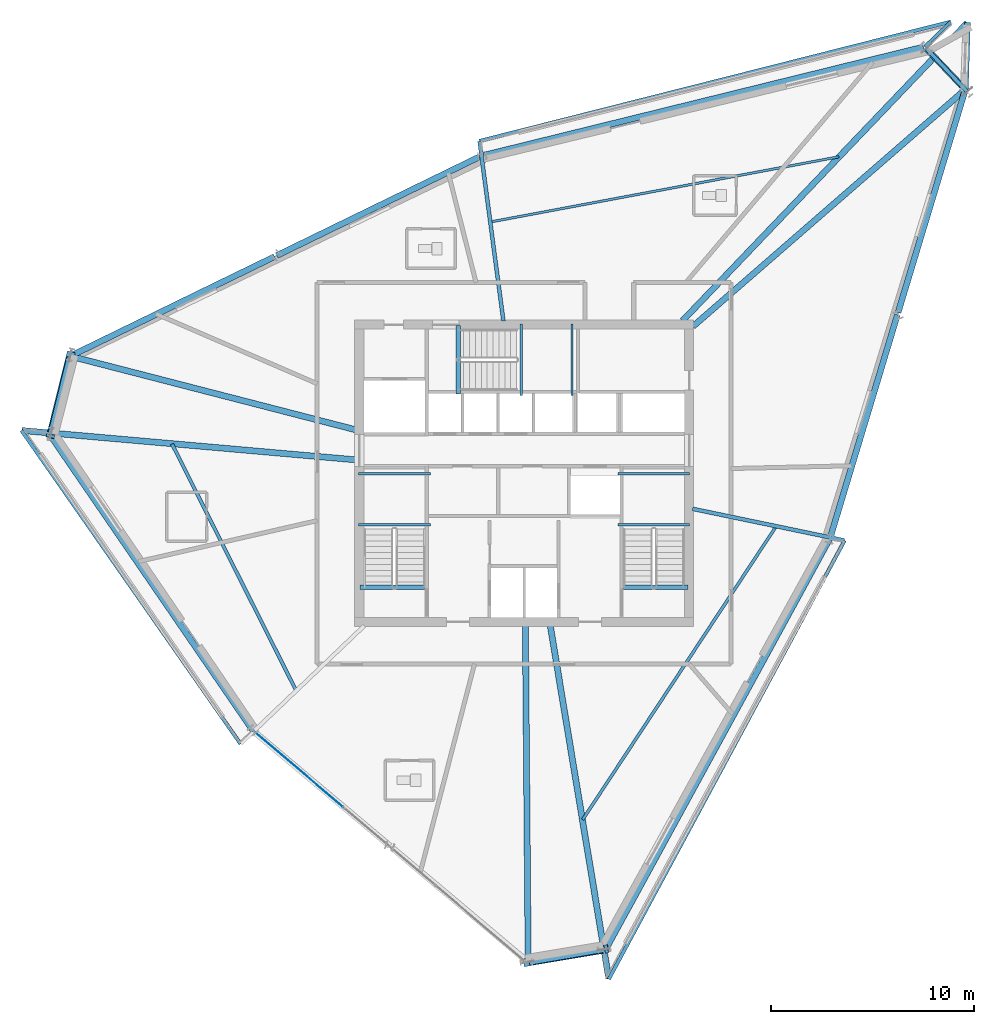
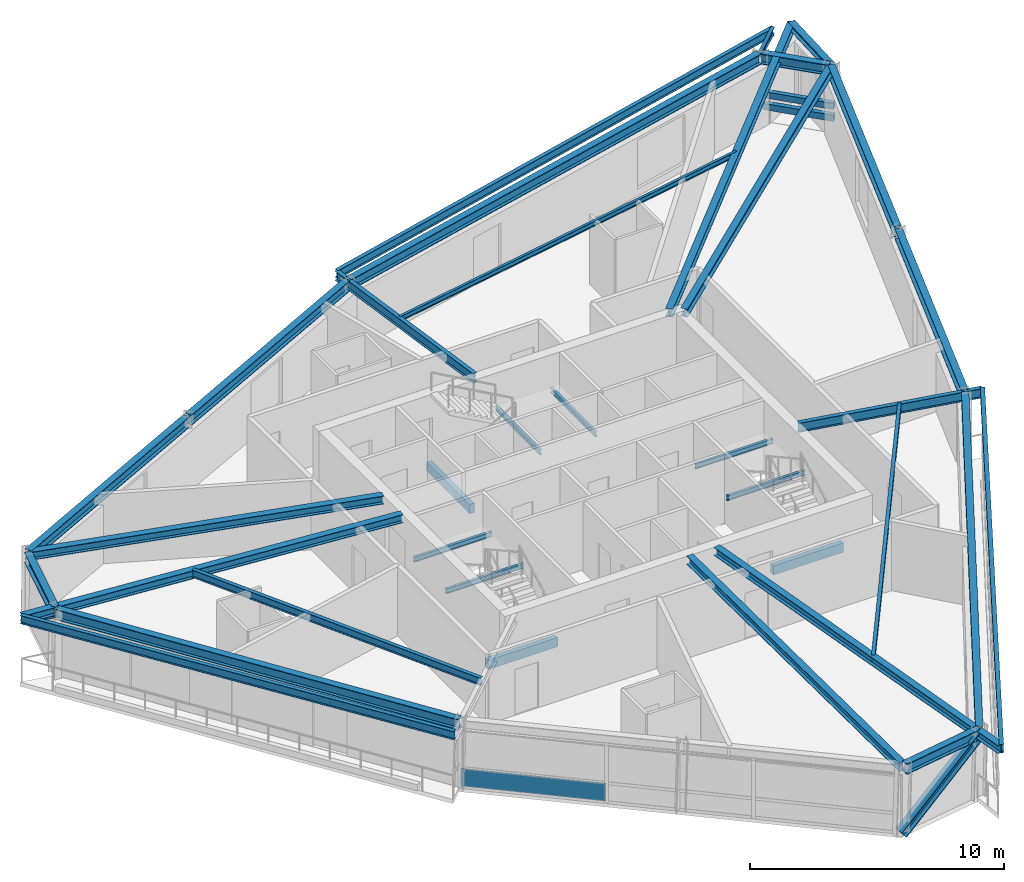
# One storey, part 4 of 15: 35 beams, 4 members, 1 plate, 1 element without a shape of its own.
"""IFC4 building model written with IfcOpenShell, lengths in metres."""

from ifc_helpers import new_model, si_unit, direction, frame, origin, origin_2d, place, context, subcontext, project, spatial, rectangle, hollow_rectangle, i_section, extrude, source, transform, mapped, material, material_profile, profile_set, type_object, element, aggregate, save


model = new_model("IFC4")

# Units and contexts
model_context = context("Model", 3, precision=1e-05, world=origin(), true_north=direction((0.0, 1.0)))
body_context = subcontext(model_context, "Body", "Model", "MODEL_VIEW")
ifc_project = project(units=[si_unit("LENGTHUNIT", "METRE"), si_unit("AREAUNIT", "SQUARE_METRE"), si_unit("VOLUMEUNIT", "CUBIC_METRE"), si_unit("PLANEANGLEUNIT", "RADIAN"), si_unit("MASSUNIT", "GRAM", prefix="KILO")], contexts=[model_context])

# Site, building, storey
site_placement = place(None, origin())
site = spatial("IfcSite", under=ifc_project, at=site_placement, CompositionType="ELEMENT")
building_placement = place(site_placement, origin())
building = spatial("IfcBuilding", under=site, at=building_placement, Name="Olszyna Solenne Hotel", CompositionType="ELEMENT")
storey_placement = place(building_placement, frame((0.0, 0.0, 213.14990234375)))
storey = spatial("IfcBuildingStorey", under=building, at=storey_placement, Name="L56", CompositionType="ELEMENT", Elevation=213.14990234375)

# Beams
ifc_material_1 = material(Name="Steel S355J2", Category="steel")
ifc_material_profile_1 = material_profile(ifc_material_1, i_section(OverallWidth=0.300048828125, OverallDepth=0.5, WebThickness=0.014404296875, FlangeThickness=0.028076171875, at=origin_2d()), Name="HEB 500", Category="load-bearing")
ifc_profile_set_1 = profile_set([ifc_material_profile_1], Name="Steel S355J2")
beam_type_1 = type_object("IfcBeamType", Name="BM-S3", PredefinedType="BEAM", material=ifc_profile_set_1)
shared_shape_1 = source(origin(), body_context, "Body", "SweptSolid", [
    extrude(i_section(OverallWidth=0.300048828125, OverallDepth=0.5, WebThickness=0.014404296875, FlangeThickness=0.028076171875, at=origin_2d()), origin(), (0.0, 0.0, 1.0), 2.787841796875),
])
beam_1_placement = place(storey_placement, frame((59.697021484375, 45.546630859375, 3.080078125), z_axis=(-0.689644238618, 0.724148344016, 0.0), x_axis=(-0.724148344016, -0.689644238618, 0.0)))
element("IfcBeam", 1, at=beam_1_placement, inside=storey, type_object=beam_type_1, Name="Perimeter spandrel beam BM-S3 B-L56-1650", PredefinedType="BEAM", context=body_context, shape_type="MappedRepresentation", body=[
    mapped(shared_shape_1, transform((0.0, 0.0, 0.0), x_axis=(1.0, 0.0, 0.0), y_axis=(0.0, 1.0, 0.0), z_axis=(0.0, 0.0, 1.0), scale=1.0)),
])
shared_shape_2 = source(origin(), body_context, "Body", "SweptSolid", [
    extrude(i_section(OverallWidth=0.300048828125, OverallDepth=0.5, WebThickness=0.014404296875, FlangeThickness=0.028076171875, at=origin_2d()), origin(), (0.0, 0.0, 1.0), 22.39111328125),
])
beam_2_placement = place(storey_placement, frame((57.6748046875, 47.594482421875, 3.080078125), z_axis=(-0.970986373618, -0.239134820233, 0.0), x_axis=(0.239134820233, -0.970986373618, 0.0)))
element("IfcBeam", 2, at=beam_2_placement, inside=storey, type_object=beam_type_1, Name="Perimeter spandrel beam BM-S3 B-L56-1651", PredefinedType="BEAM", context=body_context, shape_type="MappedRepresentation", body=[
    mapped(shared_shape_2, transform((0.0, 0.0, 0.0), x_axis=(1.0, 0.0, 0.0), y_axis=(0.0, 1.0, 0.0), z_axis=(0.0, 0.0, 1.0), scale=1.0)),
])
shared_shape_3 = source(origin(), body_context, "Body", "SweptSolid", [
    extrude(i_section(OverallWidth=0.300048828125, OverallDepth=0.5, WebThickness=0.014404296875, FlangeThickness=0.028076171875, at=origin_2d()), origin(), (0.0, 0.0, 1.0), 11.135498046875),
])
for number, where, z_axis, x_axis, name in (
    (3, (35.821044921875, 42.199462890625, 3.080078125), (-0.899013993739, -0.437919900279, 0.0), (0.437919900279, -0.899013993739, 0.0), "Perimeter spandrel beam BM-S3 B-L56-1652"),
    (4, (25.7021484375, 37.270263671875, 3.080078125), (-0.899013993739, -0.437919900279, 0.0), (0.437919900279, -0.899013993739, 0.0), "Perimeter spandrel beam BM-S3 B-L56-1653"),
):
    element("IfcBeam", number, at=place(storey_placement, frame(where, z_axis=z_axis, x_axis=x_axis)), inside=storey, type_object=beam_type_1, Name=name, PredefinedType="BEAM", context=body_context, shape_type="MappedRepresentation", body=[
        mapped(shared_shape_3, transform((0.0, 0.0, 0.0), x_axis=(1.0, 0.0, 0.0), y_axis=(0.0, 1.0, 0.0), z_axis=(0.0, 0.0, 1.0), scale=1.0)),
    ])
shared_shape_4 = source(origin(), body_context, "Body", "SweptSolid", [
    extrude(i_section(OverallWidth=0.300048828125, OverallDepth=0.5, WebThickness=0.014404296875, FlangeThickness=0.028076171875, at=origin_2d()), origin(), (0.0, 0.0, 1.0), 3.761962890625),
])
beam_3_placement = place(storey_placement, frame((38.2587890625, 2.513427734375, 3.080078125), z_axis=(0.985562599074, 0.169311438795, 0.0), x_axis=(-0.169311438795, 0.985562599074, 0.0)))
element("IfcBeam", 5, at=beam_3_placement, inside=storey, type_object=beam_type_1, Name="Perimeter spandrel beam BM-S3 B-L56-1658", PredefinedType="BEAM", context=body_context, shape_type="MappedRepresentation", body=[
    mapped(shared_shape_4, transform((0.0, 0.0, 0.0), x_axis=(1.0, 0.0, 0.0), y_axis=(0.0, 1.0, 0.0), z_axis=(0.0, 0.0, 1.0), scale=1.0)),
])
shared_shape_5 = source(origin(), body_context, "Body", "SweptSolid", [
    extrude(i_section(OverallWidth=0.300048828125, OverallDepth=0.5, WebThickness=0.014404296875, FlangeThickness=0.028076171875, at=origin_2d()), origin(), (0.0, 0.0, 1.0), 22.9521484375),
])
beam_4_placement = place(storey_placement, frame((42.054443359375, 3.21337890625, 3.080078125), z_axis=(0.479002666824, 0.877813445543, 0.0), x_axis=(-0.877813445543, 0.479002666824, 0.0)))
element("IfcBeam", 6, at=beam_4_placement, inside=storey, type_object=beam_type_1, Name="Perimeter spandrel beam BM-S3 B-L56-1659", PredefinedType="BEAM", context=body_context, shape_type="MappedRepresentation", body=[
    mapped(shared_shape_5, transform((0.0, 0.0, 0.0), x_axis=(1.0, 0.0, 0.0), y_axis=(0.0, 1.0, 0.0), z_axis=(0.0, 0.0, 1.0), scale=1.0)),
])
shared_shape_6 = source(origin(), body_context, "Body", "SweptSolid", [
    extrude(i_section(OverallWidth=0.300048828125, OverallDepth=0.5, WebThickness=0.014404296875, FlangeThickness=0.028076171875, at=origin_2d()), origin(), (0.0, 0.0, 1.0), 11.416015625),
])
for number, where, z_axis, x_axis, name in (
    (7, (53.094482421875, 23.47119140625, 3.080078125), (0.288707257143, 0.957417421856, 0.0), (-0.957417421856, 0.288707257143, 0.0), "Perimeter spandrel beam BM-S3 B-L56-1660"),
    (8, (56.425048828125, 34.515869140625, 3.080078125), (0.288726860144, 0.957411510392, 0.0), (-0.957411510392, 0.288726860144, 0.0), "Perimeter spandrel beam BM-S3 B-L56-1661"),
):
    element("IfcBeam", number, at=place(storey_placement, frame(where, z_axis=z_axis, x_axis=x_axis)), inside=storey, type_object=beam_type_1, Name=name, PredefinedType="BEAM", context=body_context, shape_type="MappedRepresentation", body=[
        mapped(shared_shape_6, transform((0.0, 0.0, 0.0), x_axis=(1.0, 0.0, 0.0), y_axis=(0.0, 1.0, 0.0), z_axis=(0.0, 0.0, 1.0), scale=1.0)),
    ])
ifc_material_profile_2 = material_profile(ifc_material_1, i_section(OverallWidth=0.179931640625, OverallDepth=0.39990234375, WebThickness=0.008544921875, FlangeThickness=0.013427734375, at=origin_2d()), Name="IPE 400", Category="load-bearing")
ifc_profile_set_2 = profile_set([ifc_material_profile_2], Name="Steel S355J2")
beam_type_2 = type_object("IfcBeamType", Name="BM-F5", PredefinedType="BEAM", material=ifc_profile_set_2)
shared_shape_7 = source(origin(), body_context, "Body", "SweptSolid", [
    extrude(i_section(OverallWidth=0.179931640625, OverallDepth=0.39990234375, WebThickness=0.008544921875, FlangeThickness=0.013427734375, at=origin_2d()), origin(), (0.0, 0.0, 1.0), 24.5390625),
])
beam_5_placement = place(storey_placement, frame((42.171630859375, 1.6748046875, 3.130126953125), z_axis=(0.473556868489, 0.880763244185, 0.0), x_axis=(-0.880763244185, 0.473556868489, 0.0)))
element("IfcBeam", 9, at=beam_5_placement, inside=storey, type_object=beam_type_2, Name="Loggia outer edge beam BM-F5 B-L56-1678", PredefinedType="BEAM", context=body_context, shape_type="MappedRepresentation", body=[
    mapped(shared_shape_7, transform((0.0, 0.0, 0.0), x_axis=(1.0, 0.0, 0.0), y_axis=(0.0, 1.0, 0.0), z_axis=(0.0, 0.0, 1.0), scale=1.0)),
])
shared_shape_8 = source(origin(), body_context, "Body", "SweptSolid", [
    extrude(i_section(OverallWidth=0.300048828125, OverallDepth=0.5, WebThickness=0.014404296875, FlangeThickness=0.028076171875, at=origin_2d()), origin(), (0.0, 0.0, 1.0), 3.91015625),
])
beam_6_placement = place(storey_placement, frame((15.622802734375, 32.309326171875, 3.080078125), z_axis=(-0.241007450143, -0.970523265551, 0.0), x_axis=(0.970523265551, -0.241007450143, 0.0)))
element("IfcBeam", 10, at=beam_6_placement, inside=storey, type_object=beam_type_1, Name="Perimeter spandrel beam BM-S3 B-L56-1654", PredefinedType="BEAM", context=body_context, shape_type="MappedRepresentation", body=[
    mapped(shared_shape_8, transform((0.0, 0.0, 0.0), x_axis=(1.0, 0.0, 0.0), y_axis=(0.0, 1.0, 0.0), z_axis=(0.0, 0.0, 1.0), scale=1.0)),
])
shared_shape_9 = source(origin(), body_context, "Body", "SweptSolid", [
    extrude(i_section(OverallWidth=0.300048828125, OverallDepth=0.5, WebThickness=0.014404296875, FlangeThickness=0.028076171875, at=origin_2d()), origin(), (0.0, 0.0, 1.0), 17.557861328125),
])
beam_7_placement = place(storey_placement, frame((14.69970703125, 28.40673828125, 3.080078125), z_axis=(0.565915522675, -0.824463232167, 0.0), x_axis=(0.824463232167, 0.565915522675, 0.0)))
element("IfcBeam", 11, at=beam_7_placement, inside=storey, type_object=beam_type_1, Name="Perimeter spandrel beam BM-S3 B-L56-1655", PredefinedType="BEAM", context=body_context, shape_type="MappedRepresentation", body=[
    mapped(shared_shape_9, transform((0.0, 0.0, 0.0), x_axis=(1.0, 0.0, 0.0), y_axis=(0.0, 1.0, 0.0), z_axis=(0.0, 0.0, 1.0), scale=1.0)),
])
ifc_material_profile_3 = material_profile(ifc_material_1, i_section(OverallWidth=0.300048828125, OverallDepth=0.389892578125, WebThickness=0.010986328125, FlangeThickness=0.01904296875, at=origin_2d()), Name="HEA 400", Category="load-bearing")
ifc_profile_set_3 = profile_set([ifc_material_profile_3], Name="Steel S355J2")
beam_type_3 = type_object("IfcBeamType", Name="BM-G2", PredefinedType="BEAM", material=ifc_profile_set_3)
shared_shape_10 = source(origin(), body_context, "Body", "SweptSolid", [
    extrude(i_section(OverallWidth=0.300048828125, OverallDepth=0.389892578125, WebThickness=0.010986328125, FlangeThickness=0.01904296875, at=origin_2d()), origin(), (0.0, 0.0, 1.0), 17.732421875),
])
beam_8_placement = place(storey_placement, frame((59.693115234375, 45.4638671875, 3.135009765625), z_axis=(-0.754599594014, -0.656185532234, 0.0), x_axis=(0.656185532234, -0.754599594014, 0.0)))
element("IfcBeam", 12, at=beam_8_placement, inside=storey, type_object=beam_type_3, Name="Radial floor girder BM-G2 B-L56-1662", PredefinedType="BEAM", context=body_context, shape_type="MappedRepresentation", body=[
    mapped(shared_shape_10, transform((0.0, 0.0, 0.0), x_axis=(1.0, 0.0, 0.0), y_axis=(0.0, 1.0, 0.0), z_axis=(0.0, 0.0, 1.0), scale=1.0)),
])
shared_shape_11 = source(origin(), body_context, "Body", "SweptSolid", [
    extrude(i_section(OverallWidth=0.300048828125, OverallDepth=0.389892578125, WebThickness=0.010986328125, FlangeThickness=0.01904296875, at=origin_2d()), origin(), (0.0, 0.0, 1.0), 20.29345703125),
])
beam_9_placement = place(storey_placement, frame((59.826416015625, 48.789306640625, 3.135009765625), z_axis=(-0.69074666548, -0.723096842843, 0.0), x_axis=(0.723096842843, -0.69074666548, 0.0)))
element("IfcBeam", 13, at=beam_9_placement, inside=storey, type_object=beam_type_3, Name="Radial floor girder BM-G2 B-L56-1663", PredefinedType="BEAM", context=body_context, shape_type="MappedRepresentation", body=[
    mapped(shared_shape_11, transform((0.0, 0.0, 0.0), x_axis=(1.0, 0.0, 0.0), y_axis=(0.0, 1.0, 0.0), z_axis=(0.0, 0.0, 1.0), scale=1.0)),
])
ifc_material_profile_4 = material_profile(ifc_material_1, i_section(OverallWidth=0.18994140625, OverallDepth=0.449951171875, WebThickness=0.009521484375, FlangeThickness=0.0146484375, at=origin_2d()), Name="IPE 450", Category="load-bearing")
ifc_profile_set_4 = profile_set([ifc_material_profile_4], Name="Steel S355J2")
beam_type_4 = type_object("IfcBeamType", Name="BM-F4", PredefinedType="BEAM", material=ifc_profile_set_4)
shared_shape_12 = source(origin(), body_context, "Body", "SweptSolid", [
    extrude(i_section(OverallWidth=0.18994140625, OverallDepth=0.449951171875, WebThickness=0.009521484375, FlangeThickness=0.0146484375, at=origin_2d()), origin(), (0.0, 0.0, 1.0), 8.926025390625),
])
beam_10_placement = place(storey_placement, frame((35.8046875, 42.948974609375, 3.10498046875), z_axis=(0.131669230093, -0.991293707156, 0.0), x_axis=(0.991293707156, 0.131669230093, 0.0)))
element("IfcBeam", 14, at=beam_10_placement, inside=storey, type_object=beam_type_4, Name="Radial floor girder BM-F4 B-L56-1664", PredefinedType="BEAM", context=body_context, shape_type="MappedRepresentation", body=[
    mapped(shared_shape_12, transform((0.0, 0.0, 0.0), x_axis=(1.0, 0.0, 0.0), y_axis=(0.0, 1.0, 0.0), z_axis=(0.0, 0.0, 1.0), scale=1.0)),
])
shared_shape_13 = source(origin(), body_context, "Body", "SweptSolid", [
    extrude(i_section(OverallWidth=0.300048828125, OverallDepth=0.389892578125, WebThickness=0.010986328125, FlangeThickness=0.01904296875, at=origin_2d()), origin(), (0.0, 0.0, 1.0), 14.46142578125),
])
beam_11_placement = place(storey_placement, frame((15.6953125, 32.3525390625, 3.135009765625), z_axis=(0.96831328515, -0.249738626972, 0.0), x_axis=(0.249738626972, 0.96831328515, 0.0)))
element("IfcBeam", 15, at=beam_11_placement, inside=storey, type_object=beam_type_3, Name="Radial floor girder BM-G2 B-L56-1665", PredefinedType="BEAM", context=body_context, shape_type="MappedRepresentation", body=[
    mapped(shared_shape_13, transform((0.0, 0.0, 0.0), x_axis=(1.0, 0.0, 0.0), y_axis=(0.0, 1.0, 0.0), z_axis=(0.0, 0.0, 1.0), scale=1.0)),
])
shared_shape_14 = source(origin(), body_context, "Body", "SweptSolid", [
    extrude(i_section(OverallWidth=0.300048828125, OverallDepth=0.389892578125, WebThickness=0.010986328125, FlangeThickness=0.01904296875, at=origin_2d()), origin(), (0.0, 0.0, 1.0), 16.50732421875),
])
beam_12_placement = place(storey_placement, frame((13.255859375, 28.706298828125, 3.135009765625), z_axis=(0.996155704894, -0.087600294564, 0.0), x_axis=(0.087600294564, 0.996155704894, 0.0)))
element("IfcBeam", 16, at=beam_12_placement, inside=storey, type_object=beam_type_3, Name="Radial floor girder BM-G2 B-L56-1666", PredefinedType="BEAM", context=body_context, shape_type="MappedRepresentation", body=[
    mapped(shared_shape_14, transform((0.0, 0.0, 0.0), x_axis=(1.0, 0.0, 0.0), y_axis=(0.0, 1.0, 0.0), z_axis=(0.0, 0.0, 1.0), scale=1.0)),
])
shared_shape_15 = source(origin(), body_context, "Body", "SweptSolid", [
    extrude(i_section(OverallWidth=0.300048828125, OverallDepth=0.389892578125, WebThickness=0.010986328125, FlangeThickness=0.01904296875, at=origin_2d()), origin(), (0.0, 0.0, 1.0), 16.537353515625),
])
beam_13_placement = place(storey_placement, frame((38.19921875, 2.563232421875, 3.135009765625), z_axis=(-0.008281992467, 0.999965703712, 0.0), x_axis=(-0.999965703712, -0.008281992467, 0.0)))
element("IfcBeam", 17, at=beam_13_placement, inside=storey, type_object=beam_type_3, Name="Radial floor girder BM-G2 B-L56-1668", PredefinedType="BEAM", context=body_context, shape_type="MappedRepresentation", body=[
    mapped(shared_shape_15, transform((0.0, 0.0, 0.0), x_axis=(1.0, 0.0, 0.0), y_axis=(0.0, 1.0, 0.0), z_axis=(0.0, 0.0, 1.0), scale=1.0)),
])
shared_shape_16 = source(origin(), body_context, "Body", "SweptSolid", [
    extrude(i_section(OverallWidth=0.300048828125, OverallDepth=0.389892578125, WebThickness=0.010986328125, FlangeThickness=0.01904296875, at=origin_2d()), origin(), (0.0, 0.0, 1.0), 17.641845703125),
])
beam_14_placement = place(storey_placement, frame((42.16845703125, 1.6943359375, 3.135009765625), z_axis=(-0.163270082954, 0.986581410737, 0.0), x_axis=(-0.986581410737, -0.163270082954, 0.0)))
element("IfcBeam", 18, at=beam_14_placement, inside=storey, type_object=beam_type_3, Name="Radial floor girder BM-G2 B-L56-1669", PredefinedType="BEAM", context=body_context, shape_type="MappedRepresentation", body=[
    mapped(shared_shape_16, transform((0.0, 0.0, 0.0), x_axis=(1.0, 0.0, 0.0), y_axis=(0.0, 1.0, 0.0), z_axis=(0.0, 0.0, 1.0), scale=1.0)),
])
shared_shape_17 = source(origin(), body_context, "Body", "SweptSolid", [
    extrude(i_section(OverallWidth=0.18994140625, OverallDepth=0.449951171875, WebThickness=0.009521484375, FlangeThickness=0.0146484375, at=origin_2d()), origin(), (0.0, 0.0, 1.0), 7.631591796875),
])
beam_15_placement = place(storey_placement, frame((53.772705078125, 23.2919921875, 3.10498046875), z_axis=(-0.979055938824, 0.203591425784, 0.0), x_axis=(-0.203591425784, -0.979055938824, 0.0)))
element("IfcBeam", 19, at=beam_15_placement, inside=storey, type_object=beam_type_4, Name="Radial floor girder BM-F4 B-L56-1670", PredefinedType="BEAM", context=body_context, shape_type="MappedRepresentation", body=[
    mapped(shared_shape_17, transform((0.0, 0.0, 0.0), x_axis=(1.0, 0.0, 0.0), y_axis=(0.0, 1.0, 0.0), z_axis=(0.0, 0.0, 1.0), scale=1.0)),
])
ifc_material_profile_5 = material_profile(ifc_material_1, i_section(OverallWidth=0.300048828125, OverallDepth=0.31005859375, WebThickness=0.009033203125, FlangeThickness=0.015380859375, at=origin_2d()), Name="HEA 320", Category="load-bearing")
ifc_profile_set_5 = profile_set([ifc_material_profile_5], Name="Steel S355J2")
beam_type_5 = type_object("IfcBeamType", Name="BM-G3", PredefinedType="BEAM", material=ifc_profile_set_5)
shared_shape_18 = source(origin(), body_context, "Body", "SweptSolid", [
    extrude(i_section(OverallWidth=0.300048828125, OverallDepth=0.31005859375, WebThickness=0.009033203125, FlangeThickness=0.015380859375, at=origin_2d()), origin(), (0.0, 0.0, 1.0), 3.302001953125),
])
beam_16_placement = place(storey_placement, frame((59.73828125, 45.50341796875, 3.175048828125), z_axis=(0.030904677609, 0.99952233637, 0.0), x_axis=(-0.99952233637, 0.030904677609, 0.0)))
element("IfcBeam", 20, at=beam_16_placement, inside=storey, type_object=beam_type_5, Name="Prism side edge beam BM-G3 B-L56-1671", PredefinedType="BEAM", context=body_context, shape_type="MappedRepresentation", body=[
    mapped(shared_shape_18, transform((0.0, 0.0, 0.0), x_axis=(1.0, 0.0, 0.0), y_axis=(0.0, 1.0, 0.0), z_axis=(0.0, 0.0, 1.0), scale=1.0)),
])
ifc_material_profile_6 = material_profile(ifc_material_1, i_section(OverallWidth=0.1201171875, OverallDepth=0.239990234375, WebThickness=0.006103515625, FlangeThickness=0.009765625, at=origin_2d()), Name="IPE 240", Category="load-bearing")
ifc_profile_set_6 = profile_set([ifc_material_profile_6], Name="Steel S355J2")
beam_type_6 = type_object("IfcBeamType", Name="JS-03", PredefinedType="JOIST", material=ifc_profile_set_6)
shared_shape_19 = source(origin(), body_context, "Body", "SweptSolid", [
    extrude(i_section(OverallWidth=0.1201171875, OverallDepth=0.239990234375, WebThickness=0.006103515625, FlangeThickness=0.009765625, at=origin_2d()), origin(), (0.0, 0.0, 1.0), 17.4521484375),
])
beam_17_placement = place(storey_placement, frame((53.506591796875, 42.190185546875, 3.210205078125), z_axis=(-0.982955387427, -0.18384424475, 0.0), x_axis=(0.18384424475, -0.982955387427, 0.0)))
element("IfcBeam", 21, at=beam_17_placement, inside=storey, type_object=beam_type_6, Name="Secondary composite floor joist JS-03 B-L56-1672", PredefinedType="JOIST", context=body_context, shape_type="MappedRepresentation", body=[
    mapped(shared_shape_19, transform((0.0, 0.0, 0.0), x_axis=(1.0, 0.0, 0.0), y_axis=(0.0, 1.0, 0.0), z_axis=(0.0, 0.0, 1.0), scale=1.0)),
])
ifc_material_profile_7 = material_profile(ifc_material_1, i_section(OverallWidth=0.169921875, OverallDepth=0.360107421875, WebThickness=0.008056640625, FlangeThickness=0.0126953125, at=origin_2d()), Name="IPE 360", Category="load-bearing")
ifc_profile_set_7 = profile_set([ifc_material_profile_7], Name="Steel S355J2")
beam_type_7 = type_object("IfcBeamType", Name="JS-01", PredefinedType="JOIST", material=ifc_profile_set_7)
shared_shape_20 = source(origin(), body_context, "Body", "SweptSolid", [
    extrude(i_section(OverallWidth=0.169921875, OverallDepth=0.360107421875, WebThickness=0.008056640625, FlangeThickness=0.0126953125, at=origin_2d()), origin(), (0.0, 0.0, 1.0), 13.587646484375),
])
beam_18_placement = place(storey_placement, frame((20.65380859375, 28.03857421875, 3.150146484375), z_axis=(0.44953351414, -0.893263465986, 0.0), x_axis=(0.893263465986, 0.44953351414, 0.0)))
element("IfcBeam", 22, at=beam_18_placement, inside=storey, type_object=beam_type_7, Name="Secondary composite floor joist JS-01 B-L56-1673", PredefinedType="JOIST", context=body_context, shape_type="MappedRepresentation", body=[
    mapped(shared_shape_20, transform((0.0, 0.0, 0.0), x_axis=(1.0, 0.0, 0.0), y_axis=(0.0, 1.0, 0.0), z_axis=(0.0, 0.0, 1.0), scale=1.0)),
])
ifc_material_profile_8 = material_profile(ifc_material_1, i_section(OverallWidth=0.14990234375, OverallDepth=0.300048828125, WebThickness=0.007080078125, FlangeThickness=0.0107421875, at=origin_2d()), Name="IPE 300", Category="load-bearing")
ifc_profile_set_8 = profile_set([ifc_material_profile_8], Name="Steel S355J2")
beam_type_8 = type_object("IfcBeamType", Name="JS-02", PredefinedType="JOIST", material=ifc_profile_set_8)
shared_shape_21 = source(origin(), body_context, "Body", "SweptSolid", [
    extrude(i_section(OverallWidth=0.14990234375, OverallDepth=0.300048828125, WebThickness=0.007080078125, FlangeThickness=0.0107421875, at=origin_2d()), origin(), (0.0, 0.0, 1.0), 17.29833984375),
])
beam_19_placement = place(storey_placement, frame((40.885009765625, 9.532470703125, 3.18017578125), z_axis=(0.550638688398, 0.8347436941, 0.0), x_axis=(-0.8347436941, 0.550638688398, 0.0)))
element("IfcBeam", 23, at=beam_19_placement, inside=storey, type_object=beam_type_8, Name="Secondary composite floor joist JS-02 B-L56-1674", PredefinedType="JOIST", context=body_context, shape_type="MappedRepresentation", body=[
    mapped(shared_shape_21, transform((0.0, 0.0, 0.0), x_axis=(1.0, 0.0, 0.0), y_axis=(0.0, 1.0, 0.0), z_axis=(0.0, 0.0, 1.0), scale=1.0)),
])
shared_shape_22 = source(origin(), body_context, "Body", "SweptSolid", [
    extrude(i_section(OverallWidth=0.179931640625, OverallDepth=0.39990234375, WebThickness=0.008544921875, FlangeThickness=0.013427734375, at=origin_2d()), origin(), (0.0, 0.0, 1.0), 23.94677734375),
])
beam_20_placement = place(storey_placement, frame((59.01708984375, 48.84326171875, 3.130126953125), z_axis=(-0.96944344917, -0.245314897348, 0.0), x_axis=(0.245314897348, -0.96944344917, 0.0)))
element("IfcBeam", 24, at=beam_20_placement, inside=storey, type_object=beam_type_2, Name="Loggia outer edge beam BM-F5 B-L56-1675", PredefinedType="BEAM", context=body_context, shape_type="MappedRepresentation", body=[
    mapped(shared_shape_22, transform((0.0, 0.0, 0.0), x_axis=(1.0, 0.0, 0.0), y_axis=(0.0, 1.0, 0.0), z_axis=(0.0, 0.0, 1.0), scale=1.0)),
])
shared_shape_23 = source(origin(), body_context, "Body", "SweptSolid", [
    extrude(i_section(OverallWidth=0.14990234375, OverallDepth=0.300048828125, WebThickness=0.007080078125, FlangeThickness=0.0107421875, at=origin_2d()), origin(), (0.0, 0.0, 1.0), 1.760986328125),
])
beam_21_placement = place(storey_placement, frame((57.74755859375, 47.622802734375, 3.18017578125), z_axis=(0.720902325554, 0.69303667797, 0.0), x_axis=(-0.69303667797, 0.720902325554, 0.0)))
element("IfcBeam", 25, at=beam_21_placement, inside=storey, type_object=beam_type_8, Name="Loggia side bracket JS-02 B-L56-1676", PredefinedType="JOIST", context=body_context, shape_type="MappedRepresentation", body=[
    mapped(shared_shape_23, transform((0.0, 0.0, 0.0), x_axis=(1.0, 0.0, 0.0), y_axis=(0.0, 1.0, 0.0), z_axis=(0.0, 0.0, 1.0), scale=1.0)),
])
shared_shape_24 = source(origin(), body_context, "Body", "SweptSolid", [
    extrude(i_section(OverallWidth=0.179931640625, OverallDepth=0.39990234375, WebThickness=0.008544921875, FlangeThickness=0.013427734375, at=origin_2d()), origin(), (0.0, 0.0, 1.0), 18.8408203125),
])
beam_22_placement = place(storey_placement, frame((13.236083984375, 28.7080078125, 3.130126953125), z_axis=(0.572795991167, -0.819697964194, 0.0), x_axis=(0.819697964194, 0.572795991167, 0.0)))
element("IfcBeam", 26, at=beam_22_placement, inside=storey, type_object=beam_type_2, Name="Loggia outer edge beam BM-F5 B-L56-1677", PredefinedType="BEAM", context=body_context, shape_type="MappedRepresentation", body=[
    mapped(shared_shape_24, transform((0.0, 0.0, 0.0), x_axis=(1.0, 0.0, 0.0), y_axis=(0.0, 1.0, 0.0), z_axis=(0.0, 0.0, 1.0), scale=1.0)),
])

# Members
ifc_material_profile_9 = material_profile(ifc_material_1, hollow_rectangle(XDim=0.199951171875, YDim=0.300048828125, WallThickness=0.01611328125, at=origin_2d()), Name="RHS 300x200x16", Category="load-bearing")
ifc_profile_set_9 = profile_set([ifc_material_profile_9], Name="Steel S355J2")
member_type_1 = type_object("IfcMemberType", Name="CH-PR1", PredefinedType="CHORD", material=ifc_profile_set_9)
shared_shape_25 = source(origin(), body_context, "Body", "SweptSolid", [
    extrude(hollow_rectangle(XDim=0.199951171875, YDim=0.300048828125, WallThickness=0.01611328125, at=origin_2d()), origin(), (0.0, 0.0, 1.0), 2.907958984375),
])
for number, where, z_axis, x_axis, name in (
    (27, (59.82080078125, 45.408203125, 1.35009765625), (-0.686497796043, 0.727131883518, 0.0), (-0.727131883518, -0.686497796043, 0.0), "Glass-prism tie chord CH-PR1 M-L56-PR1"),
    (28, (59.82080078125, 45.408203125, 0.780029296875), (-0.686497796043, 0.727131883518, 0.0), (-0.727131883518, -0.686497796043, 0.0), "Glass-prism tie chord CH-PR1 M-L56-PR2"),
):
    element("IfcMember", number, at=place(storey_placement, frame(where, z_axis=z_axis, x_axis=x_axis)), inside=storey, type_object=member_type_1, Name=name, PredefinedType="CHORD", context=body_context, shape_type="MappedRepresentation", body=[
        mapped(shared_shape_25, transform((0.0, 0.0, 0.0), x_axis=(1.0, 0.0, 0.0), y_axis=(0.0, 1.0, 0.0), z_axis=(0.0, 0.0, 1.0), scale=1.0)),
    ])
ifc_material_2 = material(Name="Steel S460M", Category="steel")
ifc_material_profile_10 = material_profile(ifc_material_2, i_section(OverallWidth=0.40087890625, OverallDepth=0.39892578125, WebThickness=0.02197265625, FlangeThickness=0.034423828125, at=origin_2d()), Name="HD 400x314", Category="load-bearing")
ifc_profile_set_10 = profile_set([ifc_material_profile_10], Name="Steel S460M")
member_type_2 = type_object("IfcMemberType", Name="BR-T3", PredefinedType="BRACE", material=ifc_profile_set_10)
shared_shape_26 = source(origin(), body_context, "Body", "SweptSolid", [
    extrude(i_section(OverallWidth=0.40087890625, OverallDepth=0.39892578125, WebThickness=0.02197265625, FlangeThickness=0.034423828125, at=origin_2d()), origin(), (0.0, 0.0, 1.0), 5.132080078125),
])
member_1_placement = place(storey_placement, frame((15.66259765625, 32.465087890625, 0.010009765625), z_axis=(-0.19423860603, -0.781140806028, 0.593372062947), x_axis=(0.970447665821, -0.241311682067, 0.0)))
element("IfcMember", 29, at=member_1_placement, inside=storey, type_object=member_type_2, Name="Perimeter braced-tube diagonal BR-T3 BR-L56-2", PredefinedType="BRACE", context=body_context, shape_type="MappedRepresentation", body=[
    mapped(shared_shape_26, transform((0.0, 0.0, 0.0), x_axis=(1.0, 0.0, 0.0), y_axis=(0.0, 1.0, 0.0), z_axis=(0.0, 0.0, 1.0), scale=1.0)),
])
shared_shape_27 = source(origin(), body_context, "Body", "SweptSolid", [
    extrude(i_section(OverallWidth=0.40087890625, OverallDepth=0.39892578125, WebThickness=0.02197265625, FlangeThickness=0.034423828125, at=origin_2d()), origin(), (0.0, 0.0, 1.0), 5.015869140625),
])
member_2_placement = place(storey_placement, frame((38.094482421875, 2.502685546875, 0.010009765625), z_axis=(0.783728025845, 0.131172961722, 0.607094750116), x_axis=(-0.165074377194, 0.986281121179, 0.0)))
element("IfcMember", 30, at=member_2_placement, inside=storey, type_object=member_type_2, Name="Perimeter braced-tube diagonal BR-T3 BR-L56-3", PredefinedType="BRACE", context=body_context, shape_type="MappedRepresentation", body=[
    mapped(shared_shape_27, transform((0.0, 0.0, 0.0), x_axis=(1.0, 0.0, 0.0), y_axis=(0.0, 1.0, 0.0), z_axis=(0.0, 0.0, 1.0), scale=1.0)),
])

# Beams
shared_shape_28 = source(origin(), body_context, "Body", "SweptSolid", [
    extrude(i_section(OverallWidth=0.1201171875, OverallDepth=0.239990234375, WebThickness=0.006103515625, FlangeThickness=0.009765625, at=origin_2d()), origin(), (0.0, 0.0, 1.0), 3.539794921875),
])
for number, where, z_axis, x_axis, name in (
    (31, (33.3798828125, 24.070068359375, 1.4501953125), (-1.0, 0.0, 0.0), (0.0, -1.0, 0.0), "Stair landing support beam JS-03 SLB-ST1-0117"),
    (32, (33.3798828125, 26.580078125, 1.4501953125), (-1.0, 0.0, 0.0), (0.0, -1.0, 0.0), "Stair landing support beam JS-03 SLB-ST1-0118"),
    (33, (46.159912109375, 24.070068359375, 1.4501953125), (-1.0, 0.0, 0.0), (0.0, -1.0, 0.0), "Stair landing support beam JS-03 SLB-ST2-0357"),
    (34, (46.159912109375, 26.580078125, 1.4501953125), (-1.0, 0.0, 0.0), (0.0, -1.0, 0.0), "Stair landing support beam JS-03 SLB-ST2-0358"),
):
    element("IfcBeam", number, at=place(storey_placement, frame(where, z_axis=z_axis, x_axis=x_axis)), inside=storey, type_object=beam_type_6, Name=name, PredefinedType="JOIST", context=body_context, shape_type="MappedRepresentation", body=[
        mapped(shared_shape_28, transform((0.0, 0.0, 0.0), x_axis=(1.0, 0.0, 0.0), y_axis=(0.0, 1.0, 0.0), z_axis=(0.0, 0.0, 1.0), scale=1.0)),
    ])
ifc_material_3 = material(Name="Concrete C50/60", Category="concrete")
ifc_material_profile_11 = material_profile(ifc_material_3, rectangle(XDim=0.219970703125, YDim=0.43994140625, at=origin_2d()), Name="RC 220x440", Category="load-bearing")
ifc_profile_set_11 = profile_set([ifc_material_profile_11], Name="Concrete C50/60")
beam_type_9 = type_object("IfcBeamType", Name="BM-ST1", PredefinedType="BEAM", material=ifc_profile_set_11)
shared_shape_29 = source(origin(), body_context, "Body", "SweptSolid", [
    extrude(rectangle(XDim=0.219970703125, YDim=0.43994140625, at=origin_2d()), origin(), (0.0, 0.0, 1.0), 3.18017578125),
])
for number, where, z_axis, x_axis, name in (
    (35, (33.10009765625, 20.97998046875, -0.204833984375), (-1.0, 0.0, 0.0), (0.0, -1.0, 0.0), "Concrete stair trimmer beam BM-ST1 SHB-ST1-0218"),
    (36, (46.080078125, 20.97998046875, -0.204833984375), (-1.0, 0.0, 0.0), (0.0, -1.0, 0.0), "Concrete stair trimmer beam BM-ST1 SHB-ST2-0458"),
):
    element("IfcBeam", number, at=place(storey_placement, frame(where, z_axis=z_axis, x_axis=x_axis)), inside=storey, type_object=beam_type_9, Name=name, PredefinedType="BEAM", context=body_context, shape_type="MappedRepresentation", body=[
        mapped(shared_shape_29, transform((0.0, 0.0, 0.0), x_axis=(1.0, 0.0, 0.0), y_axis=(0.0, 1.0, 0.0), z_axis=(0.0, 0.0, 1.0), scale=1.0)),
    ])
shared_shape_30 = source(origin(), body_context, "Body", "SweptSolid", [
    extrude(i_section(OverallWidth=0.1201171875, OverallDepth=0.239990234375, WebThickness=0.006103515625, FlangeThickness=0.009765625, at=origin_2d()), origin(), (0.0, 0.0, 1.0), 3.5400390625),
])
for number, where, z_axis, x_axis, name in (
    (37, (37.85009765625, 30.419921875, 1.4501953125), (0.0, 1.0, 0.0), (-1.0, 0.0, 0.0), "Stair landing support beam JS-03 SLB-ST3-0597"),
    (38, (40.360107421875, 30.419921875, 1.4501953125), (0.0, 1.0, 0.0), (-1.0, 0.0, 0.0), "Stair landing support beam JS-03 SLB-ST3-0598"),
):
    element("IfcBeam", number, at=place(storey_placement, frame(where, z_axis=z_axis, x_axis=x_axis)), inside=storey, type_object=beam_type_6, Name=name, PredefinedType="JOIST", context=body_context, shape_type="MappedRepresentation", body=[
        mapped(shared_shape_30, transform((0.0, 0.0, 0.0), x_axis=(1.0, 0.0, 0.0), y_axis=(0.0, 1.0, 0.0), z_axis=(0.0, 0.0, 1.0), scale=1.0)),
    ])
shared_shape_31 = source(origin(), body_context, "Body", "SweptSolid", [
    extrude(rectangle(XDim=0.219970703125, YDim=0.43994140625, at=origin_2d()), origin(), (0.0, 0.0, 1.0), 3.3798828125),
])
beam_23_placement = place(storey_placement, frame((34.760009765625, 30.5, -0.204833984375), z_axis=(0.0, 1.0, 0.0), x_axis=(-1.0, 0.0, 0.0)))
element("IfcBeam", 39, at=beam_23_placement, inside=storey, type_object=beam_type_9, Name="Concrete stair trimmer beam BM-ST1 SHB-ST3-0696", PredefinedType="BEAM", context=body_context, shape_type="MappedRepresentation", body=[
    mapped(shared_shape_31, transform((0.0, 0.0, 0.0), x_axis=(1.0, 0.0, 0.0), y_axis=(0.0, 1.0, 0.0), z_axis=(0.0, 0.0, 1.0), scale=1.0)),
])

# Curtain wall, plate
ifc_material_4 = material(Name="Anodised bronze aluminium", Category="aluminium")
curtain_wall_type = type_object("IfcCurtainWallType", Name="CW-SYS-4", PredefinedType="NOTDEFINED", material=ifc_material_4)
curtain_wall_placement = place(storey_placement, origin())
curtain_wall = element("IfcCurtainWall", 40, at=curtain_wall_placement, inside=storey, type_object=curtain_wall_type, Name="Unitised curtain wall CW-SYS-4 CW-L56-01", PredefinedType="NOTDEFINED")
ifc_material_5 = material(Name="Terracotta cladding", Category="masonry")
plate_type = type_object("IfcPlateType", Name="PN-SP1", PredefinedType="CURTAIN_PANEL", material=ifc_material_5)
shared_shape_32 = source(origin(), body_context, "Body", "SweptSolid", [
    extrude(rectangle(XDim=5.795166015625, YDim=0.035888671875, at=origin_2d()), origin(), (0.0, 0.0, 1.0), 0.8525390625),
])
plate_placement = place(storey_placement, frame((26.873779296875, 12.02294921875, 0.065185546875), z_axis=(0.0, 0.0, 1.0), x_axis=(0.762522834603, -0.646961302327, 0.0)))
plate = element("IfcPlate", 41, at=plate_placement, type_object=plate_type, Name="Curtain-wall panel PN-SP1 CP-L56-01-01", PredefinedType="CURTAIN_PANEL", context=body_context, shape_type="MappedRepresentation", body=[
    mapped(shared_shape_32, transform((0.0, 0.0, 0.0), x_axis=(1.0, 0.0, 0.0), y_axis=(0.0, 1.0, 0.0), z_axis=(0.0, 0.0, 1.0), scale=1.0)),
])
aggregate(curtain_wall, [plate])

save(model, "model.ifc")
